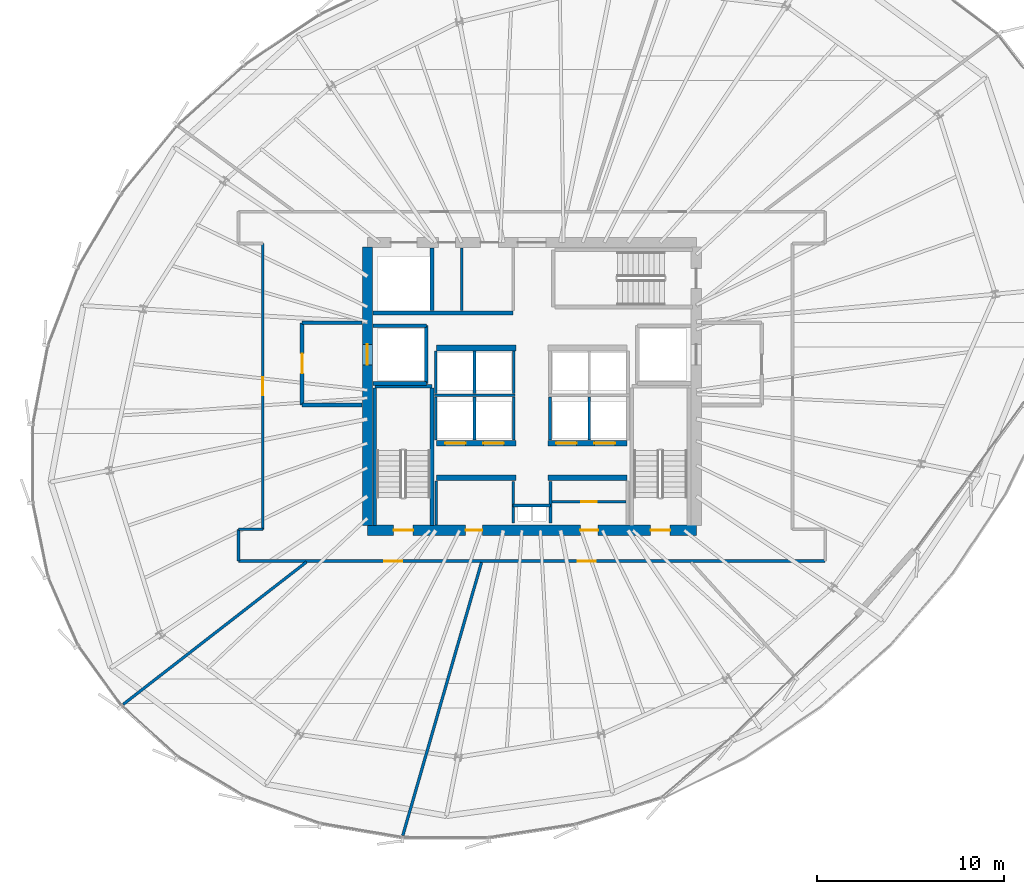
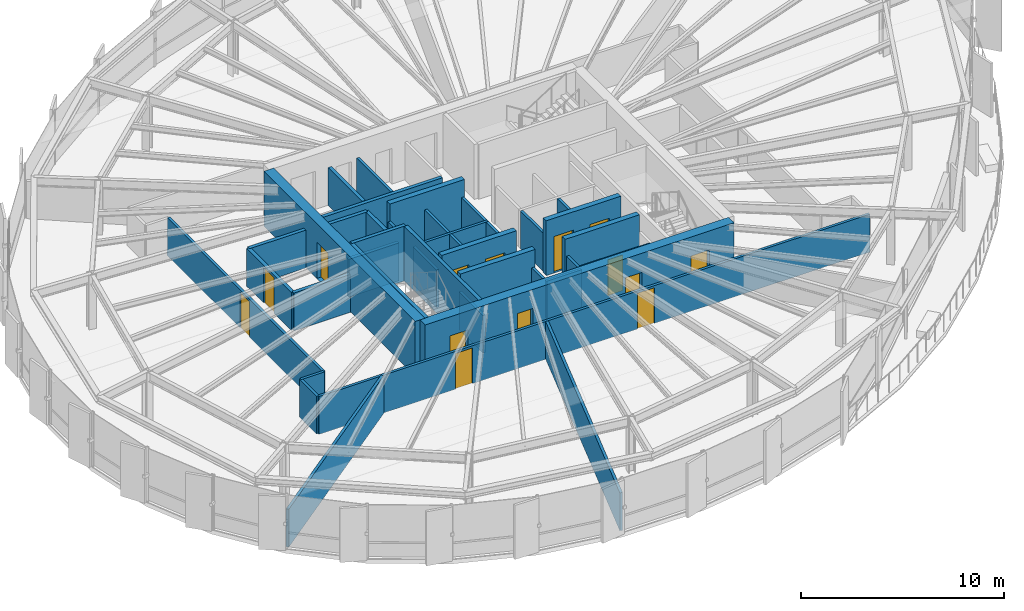
# One storey, part 28 of 34: 39 walls, 14 doors, 14 openings.
"""IFC4 building model written with IfcOpenShell, lengths in metres."""

from ifc_helpers import new_model, si_unit, direction, frame, frame_2d, origin, place, context, subcontext, project, spatial, rectangle, extrude, source, transform, mapped, material, layer, layer_set, type_object, element, fill, save


model = new_model("IFC4")

# Units and contexts
model_context = context("Model", 3, precision=1e-05, world=origin(), true_north=direction((0.0, 1.0)))
body_context = subcontext(model_context, "Body", "Model", "MODEL_VIEW")
ifc_project = project(units=[si_unit("LENGTHUNIT", "METRE"), si_unit("AREAUNIT", "SQUARE_METRE"), si_unit("VOLUMEUNIT", "CUBIC_METRE"), si_unit("PLANEANGLEUNIT", "RADIAN"), si_unit("MASSUNIT", "GRAM", prefix="KILO"), si_unit("THERMODYNAMICTEMPERATUREUNIT", "KELVIN")], contexts=[model_context])

# Site, building, storey
site_placement = place(None, origin())
site = spatial("IfcSite", under=ifc_project, at=site_placement, CompositionType="ELEMENT")
building_placement = place(site_placement, origin())
building = spatial("IfcBuilding", under=site, at=building_placement, Name="Kethvar Cultural Tower", CompositionType="ELEMENT")
storey_placement = place(building_placement, frame((0.0, 0.0, 153.64990234375)))
storey = spatial("IfcBuildingStorey", under=building, at=storey_placement, Name="L39", CompositionType="ELEMENT", Elevation=153.64990234375)

# Wall, openings, doors
ifc_material_1 = material(Name="Concrete C60/75", Category="concrete")
ifc_layer_1 = layer(ifc_material_1, 0.550048828125, Name="Concrete C60/75", Category="concrete")
ifc_layer_set_1 = layer_set([ifc_layer_1], Name="Concrete C60/75 (550 mm)")
wall_type_1 = type_object("IfcWallType", Name="WL-CORE-550", PredefinedType="SHEAR", material=ifc_layer_set_1)
wall_1_placement = place(storey_placement, frame((38.0, 20.10009765625, 0.0), z_axis=(0.0, 0.0, 1.0), x_axis=(1.0, 0.0, 0.0)))
wall_1 = element("IfcWall", 1, at=wall_1_placement, inside=storey, type_object=wall_type_1, Name="L39 Core Shear Wall S", PredefinedType="SHEAR", context=body_context, shape_type="SweptSolid", body=[
    extrude(rectangle(XDim=17.60009765625, YDim=0.550048828125, at=frame_2d((8.800048828125, 0.0))), origin(), (0.0, 0.0, 1.0), 3.300048828125),
])
opening_1_placement = place(wall_1_placement, frame((1.39990234375, 0.0, 0.0)))
opening_1 = element("IfcOpeningElement", 2, at=opening_1_placement, cuts=wall_1, Name="Opening D-L39-S1", PredefinedType="OPENING", context=body_context, shape_type="SweptSolid", body=[
    extrude(rectangle(XDim=1.050048828125, YDim=2.14990234375, at=frame_2d((0.52490234375, 1.074951171875))), frame((0.0, 0.284912109375, 0.0), z_axis=(0.0, -1.0, 0.0), x_axis=(1.0, 0.0, 0.0)), (0.0, 0.0, 1.0), 0.570068359375),
])
opening_2_placement = place(wall_1_placement, frame((15.14990234375, 0.0, 0.0)))
opening_2 = element("IfcOpeningElement", 3, at=opening_2_placement, cuts=wall_1, Name="Opening D-L39-ST2", PredefinedType="OPENING", context=body_context, shape_type="SweptSolid", body=[
    extrude(rectangle(XDim=1.050048828125, YDim=2.14990234375, at=frame_2d((0.52490234375, 1.074951171875))), frame((0.0, 0.284912109375, 0.0), z_axis=(0.0, -1.0, 0.0), x_axis=(1.0, 0.0, 0.0)), (0.0, 0.0, 1.0), 0.570068359375),
])
opening_3_placement = place(wall_1_placement, frame((5.25, 0.0, 0.0)))
opening_3 = element("IfcOpeningElement", 4, at=opening_3_placement, cuts=wall_1, Name="Opening D-L39-V1", PredefinedType="OPENING", context=body_context, shape_type="SweptSolid", body=[
    extrude(rectangle(XDim=0.89990234375, YDim=2.14990234375, at=frame_2d((0.449951171875, 1.074951171875))), frame((0.0, 0.284912109375, 0.0), z_axis=(0.0, -1.0, 0.0), x_axis=(1.0, 0.0, 0.0)), (0.0, 0.0, 1.0), 0.570068359375),
])
opening_4_placement = place(wall_1_placement, frame((11.39990234375, 0.0, 0.0)))
opening_4 = element("IfcOpeningElement", 5, at=opening_4_placement, cuts=wall_1, Name="Opening D-L39-V2", PredefinedType="OPENING", context=body_context, shape_type="SweptSolid", body=[
    extrude(rectangle(XDim=0.949951171875, YDim=2.14990234375, at=frame_2d((0.47509765625, 1.074951171875))), frame((0.0, 0.284912109375, 0.0), z_axis=(0.0, -1.0, 0.0), x_axis=(1.0, 0.0, 0.0)), (0.0, 0.0, 1.0), 0.570068359375),
])
ifc_material_2 = material(Name="Steel S355J2", Category="steel")
door_type_1 = type_object("IfcDoorType", Name="DR-FD60-1050", OperationType="NOTDEFINED", PredefinedType="DOOR", material=ifc_material_2)
shared_shape_1 = source(origin(), body_context, "Body", "SweptSolid", [
    extrude(rectangle(XDim=1.050048828125, YDim=2.14990234375, at=frame_2d((0.52490234375, 1.074951171875))), frame((0.0, 0.02490234375, 0.0), z_axis=(0.0, -1.0, 0.0), x_axis=(1.0, 0.0, 0.0)), (0.0, 0.0, 1.0), 0.050048828125),
])
door_1_placement = place(opening_1_placement, origin())
door_1 = element("IfcDoor", 6, at=door_1_placement, inside=storey, type_object=door_type_1, Name="L39 Exit Stair 1 Door", OperationType="SINGLE_SWING_LEFT", OverallHeight=2.14990234375, OverallWidth=1.050048828125, PredefinedType="DOOR", context=body_context, shape_type="MappedRepresentation", body=[
    mapped(shared_shape_1, transform((0.0, 0.0, 0.0), scale=1.0)),
])
fill(opening_1, door_1)
door_2_placement = place(opening_2_placement, origin())
door_2 = element("IfcDoor", 7, at=door_2_placement, inside=storey, type_object=door_type_1, Name="L39 Exit Stair 2 Door", OperationType="SINGLE_SWING_RIGHT", OverallHeight=2.14990234375, OverallWidth=1.050048828125, PredefinedType="DOOR", context=body_context, shape_type="MappedRepresentation", body=[
    mapped(shared_shape_1, transform((0.0, 0.0, 0.0), scale=1.0)),
])
fill(opening_2, door_2)
ifc_material_3 = material(Name="Architectural Oak Timber", Category="wood")
door_type_2 = type_object("IfcDoorType", Name="DR-FD30-950", OperationType="NOTDEFINED", PredefinedType="DOOR", material=ifc_material_3)
shared_shape_2 = source(origin(), body_context, "Body", "SweptSolid", [
    extrude(rectangle(XDim=0.949951171875, YDim=2.14990234375, at=frame_2d((0.47509765625, 1.074951171875))), frame((0.0, 0.02490234375, 0.0), z_axis=(0.0, -1.0, 0.0), x_axis=(1.0, 0.0, 0.0)), (0.0, 0.0, 1.0), 0.050048828125),
])
door_3_placement = place(opening_4_placement, origin())
door_3 = element("IfcDoor", 8, at=door_3_placement, inside=storey, type_object=door_type_2, Name="L39 Bindery Supply Door", OperationType="SINGLE_SWING_RIGHT", OverallHeight=2.14990234375, OverallWidth=0.949951171875, PredefinedType="DOOR", context=body_context, shape_type="MappedRepresentation", body=[
    mapped(shared_shape_2, transform((0.0, 0.0, 0.0), scale=1.0)),
])
fill(opening_4, door_3)
door_type_3 = type_object("IfcDoorType", Name="DR-FD30-900", OperationType="NOTDEFINED", PredefinedType="DOOR", material=ifc_material_3)
shared_shape_3 = source(origin(), body_context, "Body", "SweptSolid", [
    extrude(rectangle(XDim=0.89990234375, YDim=2.14990234375, at=frame_2d((0.449951171875, 1.074951171875))), frame((0.0, 0.02490234375, 0.0), z_axis=(0.0, -1.0, 0.0), x_axis=(1.0, 0.0, 0.0)), (0.0, 0.0, 1.0), 0.050048828125),
])
door_4_placement = place(opening_3_placement, origin())
door_4 = element("IfcDoor", 9, at=door_4_placement, inside=storey, type_object=door_type_3, Name="L39 Folio Vault Door", OperationType="SINGLE_SWING_LEFT", OverallHeight=2.14990234375, OverallWidth=0.89990234375, PredefinedType="DOOR", context=body_context, shape_type="MappedRepresentation", body=[
    mapped(shared_shape_3, transform((0.0, 0.0, 0.0), scale=1.0)),
])
fill(opening_3, door_4)

# Wall, opening, door
wall_2_placement = place(storey_placement, frame((38.0, 35.260009765625, 0.0), z_axis=(0.0, 0.0, 1.0), x_axis=(0.0, -1.0, 0.0)))
wall_2 = element("IfcWall", 10, at=wall_2_placement, inside=storey, type_object=wall_type_1, Name="L39 Core Shear Wall W", PredefinedType="SHEAR", context=body_context, shape_type="SweptSolid", body=[
    extrude(rectangle(XDim=14.919921875, YDim=0.550048828125, at=frame_2d((7.4599609375, 0.0))), origin(), (0.0, 0.0, 1.0), 3.300048828125),
])
opening_5_placement = place(wall_2_placement, frame((5.2099609375, 0.0, 0.0)))
opening_5 = element("IfcOpeningElement", 11, at=opening_5_placement, cuts=wall_2, Name="Opening LD-1", PredefinedType="OPENING", context=body_context, shape_type="SweptSolid", body=[
    extrude(rectangle(XDim=1.10009765625, YDim=2.199951171875, at=frame_2d((0.550048828125, 1.10009765625))), frame((0.0, 0.284912109375, 0.0), z_axis=(0.0, -1.0, 0.0), x_axis=(1.0, 0.0, 0.0)), (0.0, 0.0, 1.0), 0.570068359375),
])
door_type_4 = type_object("IfcDoorType", Name="DR-LIFT-SLIDE-1100", OperationType="NOTDEFINED", PredefinedType="DOOR", material=ifc_material_2)
shared_shape_4 = source(origin(), body_context, "Body", "SweptSolid", [
    extrude(rectangle(XDim=1.10009765625, YDim=2.199951171875, at=frame_2d((0.550048828125, 1.10009765625))), frame((0.0, 0.02490234375, 0.0), z_axis=(0.0, -1.0, 0.0), x_axis=(1.0, 0.0, 0.0)), (0.0, 0.0, 1.0), 0.050048828125),
])
door_5_placement = place(opening_5_placement, origin())
door_5 = element("IfcDoor", 12, at=door_5_placement, inside=storey, type_object=door_type_4, Name="L39 Firefighting Lift Landing Door FFL-01", OperationType="SLIDING_TO_LEFT", OverallHeight=2.199951171875, OverallWidth=1.10009765625, PredefinedType="DOOR", context=body_context, shape_type="MappedRepresentation", body=[
    mapped(shared_shape_4, transform((0.0, 0.0, 0.0), scale=1.0)),
])
fill(opening_5, door_5)

# Walls
ifc_material_4 = material(Name="Gypsum Fireboard Partition")
ifc_layer_2 = layer(ifc_material_4, 0.14990234375, Name="Gypsum Fireboard Partition")
ifc_layer_set_2 = layer_set([ifc_layer_2], Name="Gypsum Fireboard Partition (150 mm)")
wall_type_2 = type_object("IfcWallType", Name="WL-FIRE-150", PredefinedType="PARTITIONING", material=ifc_layer_set_2)
wall_3_placement = place(storey_placement, frame((45.800048828125, 21.419921875, 0.0), z_axis=(0.0, 0.0, 1.0), x_axis=(1.0, 0.0, 0.0)))
element("IfcWall", 13, at=wall_3_placement, inside=storey, type_object=wall_type_2, Name="L39 Core Riser Wall", PredefinedType="PARTITIONING", context=body_context, shape_type="SweptSolid", body=[
    extrude(rectangle(XDim=2.0, YDim=0.14990234375, at=frame_2d((1.0, 0.0))), origin(), (0.0, 0.0, 1.0), 2.280029296875),
])
for number, where, z_axis, x_axis, name in (
    (14, (45.800048828125, 20.47998046875, 0.0), (0.0, 0.0, 1.0), (0.0, 1.0, 0.0), "L39 Core Riser West Wall"),
    (15, (47.800048828125, 20.47998046875, 0.0), (0.0, 0.0, 1.0), (0.0, 1.0, 0.0), "L39 Core Riser East Wall"),
):
    element("IfcWall", number, at=place(storey_placement, frame(where, z_axis=z_axis, x_axis=x_axis)), inside=storey, type_object=wall_type_2, Name=name, PredefinedType="PARTITIONING", context=body_context, shape_type="SweptSolid", body=[
        extrude(rectangle(XDim=2.239990234375, YDim=0.14990234375, at=frame_2d((1.1201171875, 0.0))), origin(), (0.0, 0.0, 1.0), 2.280029296875),
    ])
wall_4_placement = place(storey_placement, frame((41.679931640625, 20.385009765625, 0.0), z_axis=(0.0, 0.0, 1.0), x_axis=(0.0, 1.0, 0.0)))
element("IfcWall", 16, at=wall_4_placement, inside=storey, type_object=wall_type_2, Name="L39 Reclaimed West Outer Wall", PredefinedType="PARTITIONING", context=body_context, shape_type="SweptSolid", body=[
    extrude(rectangle(XDim=2.344970703125, YDim=0.14990234375, at=frame_2d((1.17236328125, 0.0))), origin(), (0.0, 0.0, 1.0), 2.280029296875),
])

# Wall, opening, door
wall_5_placement = place(storey_placement, frame((47.8798828125, 21.6201171875, 0.0), z_axis=(0.0, 0.0, 1.0), x_axis=(1.0, 0.0, 0.0)))
wall_5 = element("IfcWall", 17, at=wall_5_placement, inside=storey, type_object=wall_type_2, Name="L39 Pantry Gallery Wall E", PredefinedType="PARTITIONING", context=body_context, shape_type="SweptSolid", body=[
    extrude(rectangle(XDim=3.960205078125, YDim=0.14990234375, at=frame_2d((1.97998046875, 0.0))), origin(), (0.0, 0.0, 1.0), 2.280029296875),
])
opening_6_placement = place(wall_5_placement, frame((1.550048828125, 0.0, 0.0)))
opening_6 = element("IfcOpeningElement", 18, at=opening_6_placement, cuts=wall_5, Name="Opening D-L39-V3", PredefinedType="OPENING", context=body_context, shape_type="SweptSolid", body=[
    extrude(rectangle(XDim=0.85009765625, YDim=2.14990234375, at=frame_2d((0.425048828125, 1.074951171875))), frame((0.0, 0.0849609375, 0.0), z_axis=(0.0, -1.0, 0.0), x_axis=(1.0, 0.0, 0.0)), (0.0, 0.0, 1.0), 0.169921875),
])
door_type_5 = type_object("IfcDoorType", Name="DR-FD30-850", OperationType="NOTDEFINED", PredefinedType="DOOR", material=ifc_material_2)
shared_shape_5 = source(origin(), body_context, "Body", "SweptSolid", [
    extrude(rectangle(XDim=0.85009765625, YDim=2.14990234375, at=frame_2d((0.425048828125, 1.074951171875))), frame((0.0, 0.02490234375, 0.0), z_axis=(0.0, -1.0, 0.0), x_axis=(1.0, 0.0, 0.0)), (0.0, 0.0, 1.0), 0.050048828125),
])
door_6_placement = place(opening_6_placement, origin())
door_6 = element("IfcDoor", 19, at=door_6_placement, inside=storey, type_object=door_type_5, Name="L39 Inner Pantry Gallery Door", OperationType="SINGLE_SWING_RIGHT", OverallHeight=2.14990234375, OverallWidth=0.85009765625, PredefinedType="DOOR", context=body_context, shape_type="MappedRepresentation", body=[
    mapped(shared_shape_5, transform((0.0, 0.0, 0.0), scale=1.0)),
])
fill(opening_6, door_6)

# Walls
wall_6_placement = place(storey_placement, frame((41.580078125, 27.324951171875, 0.0), z_axis=(0.0, 0.0, 1.0), x_axis=(1.0, 0.0, 0.0)))
element("IfcWall", 20, at=wall_6_placement, inside=storey, type_object=wall_type_2, Name="L39 Mid-High Lift Shaft Back Wall W", PredefinedType="PARTITIONING", context=body_context, shape_type="SweptSolid", body=[
    extrude(rectangle(XDim=4.31982421875, YDim=0.14990234375, at=frame_2d((2.159912109375, 0.0))), origin(), (0.0, 0.0, 1.0), 2.280029296875),
])
for number, where, z_axis, x_axis, name in (
    (21, (41.64990234375, 24.919921875, 0.0), (0.0, 0.0, 1.0), (0.0, 1.0, 0.0), "L39 Mid-Rise Lift Shaft Outer Wall W"),
    (22, (43.72509765625, 24.919921875, 0.0), (0.0, 0.0, 1.0), (0.0, 1.0, 0.0), "L39 Mid-Rise Lift Shaft Divider W"),
    (23, (45.824951171875, 24.919921875, 0.0), (0.0, 0.0, 1.0), (0.0, 1.0, 0.0), "L39 Mid-Rise Lift Shaft Concourse Wall W"),
    (24, (47.77490234375, 24.919921875, 0.0), (0.0, 0.0, 1.0), (0.0, 1.0, 0.0), "L39 Mid-Rise Lift Shaft Concourse Wall E"),
    (25, (49.875, 24.919921875, 0.0), (0.0, 0.0, 1.0), (0.0, 1.0, 0.0), "L39 Mid-Rise Lift Shaft Divider E"),
):
    element("IfcWall", number, at=place(storey_placement, frame(where, z_axis=z_axis, x_axis=x_axis)), inside=storey, type_object=wall_type_2, Name=name, PredefinedType="PARTITIONING", context=body_context, shape_type="SweptSolid", body=[
        extrude(rectangle(XDim=2.320068359375, YDim=0.14990234375, at=frame_2d((1.16015625, 0.0))), origin(), (0.0, 0.0, 1.0), 2.280029296875),
    ])
for number, where, z_axis, x_axis, name in (
    (26, (41.64990234375, 27.409912109375, 0.0), (0.0, 0.0, 1.0), (0.0, 1.0, 0.0), "L39 High-Rise Lift Shaft Outer Wall W"),
    (27, (43.72509765625, 27.409912109375, 0.0), (0.0, 0.0, 1.0), (0.0, 1.0, 0.0), "L39 High-Rise Lift Shaft Divider W"),
    (28, (45.824951171875, 27.409912109375, 0.0), (0.0, 0.0, 1.0), (0.0, 1.0, 0.0), "L39 High-Rise Lift Shaft Concourse Wall W"),
):
    element("IfcWall", number, at=place(storey_placement, frame(where, z_axis=z_axis, x_axis=x_axis)), inside=storey, type_object=wall_type_2, Name=name, PredefinedType="PARTITIONING", context=body_context, shape_type="SweptSolid", body=[
        extrude(rectangle(XDim=2.27001953125, YDim=0.14990234375, at=frame_2d((1.135009765625, 0.0))), origin(), (0.0, 0.0, 1.0), 2.280029296875),
    ])

# Wall, openings, doors
wall_7_placement = place(storey_placement, frame((31.10009765625, 18.449951171875, 0.0), z_axis=(0.0, 0.0, 1.0), x_axis=(1.0, 0.0, 0.0)))
wall_7 = element("IfcWall", 29, at=wall_7_placement, inside=storey, type_object=wall_type_2, Name="L39 Corridor Rated Wall S", PredefinedType="PARTITIONING", context=body_context, shape_type="SweptSolid", body=[
    extrude(rectangle(XDim=31.39990234375, YDim=0.14990234375, at=frame_2d((15.699951171875, 0.0))), origin(), (0.0, 0.0, 1.0), 2.280029296875),
])
opening_7_placement = place(wall_7_placement, frame((7.799560546875, 0.0, 0.0)))
opening_7 = element("IfcOpeningElement", 30, at=opening_7_placement, cuts=wall_7, Name="Opening D-L39-01", PredefinedType="OPENING", context=body_context, shape_type="SweptSolid", body=[
    extrude(rectangle(XDim=0.949951171875, YDim=2.14990234375, at=frame_2d((0.47509765625, 1.074951171875))), frame((0.0, 0.0849609375, 0.0), z_axis=(0.0, -1.0, 0.0), x_axis=(1.0, 0.0, 0.0)), (0.0, 0.0, 1.0), 0.169921875),
])
opening_8_placement = place(wall_7_placement, frame((18.16650390625, 0.0, 0.0)))
opening_8 = element("IfcOpeningElement", 31, at=opening_8_placement, cuts=wall_7, Name="Opening D-L39-02", PredefinedType="OPENING", context=body_context, shape_type="SweptSolid", body=[
    extrude(rectangle(XDim=0.949951171875, YDim=2.14990234375, at=frame_2d((0.47509765625, 1.074951171875))), frame((0.0, 0.0849609375, 0.0), z_axis=(0.0, -1.0, 0.0), x_axis=(1.0, 0.0, 0.0)), (0.0, 0.0, 1.0), 0.169921875),
])
door_7_placement = place(opening_7_placement, origin())
door_7 = element("IfcDoor", 32, at=door_7_placement, inside=storey, type_object=door_type_2, Name="L39 Periodicals Reading Lounge 01 Door", OperationType="SINGLE_SWING_RIGHT", OverallHeight=2.14990234375, OverallWidth=0.949951171875, PredefinedType="DOOR", context=body_context, shape_type="MappedRepresentation", body=[
    mapped(shared_shape_2, transform((0.0, 0.0, 0.0), scale=1.0)),
])
fill(opening_7, door_7)
door_8_placement = place(opening_8_placement, origin())
door_8 = element("IfcDoor", 33, at=door_8_placement, inside=storey, type_object=door_type_2, Name="L39 Members' Dining Lounge 02 Door", OperationType="SINGLE_SWING_LEFT", OverallHeight=2.14990234375, OverallWidth=0.949951171875, PredefinedType="DOOR", context=body_context, shape_type="MappedRepresentation", body=[
    mapped(shared_shape_2, transform((0.0, 0.0, 0.0), scale=1.0)),
])
fill(opening_8, door_8)

# Wall, opening, door
wall_8_placement = place(storey_placement, frame((32.39990234375, 35.449951171875, 0.0), z_axis=(0.0, 0.0, 1.0), x_axis=(0.0, -1.0, 0.0)))
wall_8 = element("IfcWall", 34, at=wall_8_placement, inside=storey, type_object=wall_type_2, Name="L39 Corridor Rated Wall WM", PredefinedType="PARTITIONING", context=body_context, shape_type="SweptSolid", body=[
    extrude(rectangle(XDim=15.300048828125, YDim=0.14990234375, at=frame_2d((7.64990234375, 0.0))), origin(), (0.0, 0.0, 1.0), 2.280029296875),
])
opening_9_placement = place(wall_8_placement, frame((7.175048828125, 0.0, 0.0)))
opening_9 = element("IfcOpeningElement", 35, at=opening_9_placement, cuts=wall_8, Name="Opening D-L39-06", PredefinedType="OPENING", context=body_context, shape_type="SweptSolid", body=[
    extrude(rectangle(XDim=0.949951171875, YDim=2.14990234375, at=frame_2d((0.47509765625, 1.074951171875))), frame((0.0, 0.0849609375, 0.0), z_axis=(0.0, -1.0, 0.0), x_axis=(1.0, 0.0, 0.0)), (0.0, 0.0, 1.0), 0.169921875),
])
door_9_placement = place(opening_9_placement, origin())
door_9 = element("IfcDoor", 36, at=door_9_placement, inside=storey, type_object=door_type_2, Name="L39 Rare Folio Storage 06 Door", OperationType="SINGLE_SWING_LEFT", OverallHeight=2.14990234375, OverallWidth=0.949951171875, PredefinedType="DOOR", context=body_context, shape_type="MappedRepresentation", body=[
    mapped(shared_shape_2, transform((0.0, 0.0, 0.0), scale=1.0)),
])
fill(opening_9, door_9)

# Walls
wall_9_placement = place(storey_placement, frame((32.39990234375, 20.14990234375, 0.0), z_axis=(0.0, 0.0, 1.0), x_axis=(-1.0, 0.0, 0.0)))
element("IfcWall", 37, at=wall_9_placement, inside=storey, type_object=wall_type_2, Name="L39 Corridor Rated Wall WST", PredefinedType="PARTITIONING", context=body_context, shape_type="SweptSolid", body=[
    extrude(rectangle(XDim=1.2998046875, YDim=0.14990234375, at=frame_2d((0.64990234375, 0.0))), origin(), (0.0, 0.0, 1.0), 2.280029296875),
])
wall_10_placement = place(storey_placement, frame((31.10009765625, 20.14990234375, 0.0), z_axis=(0.0, 0.0, 1.0), x_axis=(0.0, -1.0, 0.0)))
element("IfcWall", 38, at=wall_10_placement, inside=storey, type_object=wall_type_2, Name="L39 Corridor Rated Wall WS", PredefinedType="PARTITIONING", context=body_context, shape_type="SweptSolid", body=[
    extrude(rectangle(XDim=1.699951171875, YDim=0.14990234375, at=frame_2d((0.85009765625, 0.0))), origin(), (0.0, 0.0, 1.0), 2.280029296875),
])
ifc_material_5 = material(Name="Concrete C40/50", Category="concrete")
ifc_layer_3 = layer(ifc_material_5, 0.199951171875, Name="Concrete C40/50", Category="concrete")
ifc_layer_set_3 = layer_set([ifc_layer_3], Name="Concrete C40/50 (200 mm)")
wall_type_3 = type_object("IfcWallType", Name="WL-FIRE-200", PredefinedType="PARTITIONING", material=ifc_layer_set_3)
wall_11_placement = place(storey_placement, frame((41.14990234375, 27.949951171875, 0.0), z_axis=(0.0, 0.0, 1.0), x_axis=(0.0, 1.0, 0.0)))
element("IfcWall", 39, at=wall_11_placement, inside=storey, type_object=wall_type_3, Name="L39 FFL-01 Shaft Inner Wall", PredefinedType="PARTITIONING", context=body_context, shape_type="SweptSolid", body=[
    extrude(rectangle(XDim=3.10009765625, YDim=0.199951171875, at=frame_2d((1.550048828125, 0.0))), origin(), (0.0, 0.0, 1.0), 2.280029296875),
])
for number, where, z_axis, x_axis, name in (
    (40, (38.284912109375, 27.949951171875, 0.0), (0.0, 0.0, 1.0), (1.0, 0.0, 0.0), "L39 FFL-01 Shaft South Wall"),
    (41, (38.284912109375, 31.050048828125, 0.0), (0.0, 0.0, 1.0), (1.0, 0.0, 0.0), "L39 FFL-01 Shaft North Wall"),
):
    element("IfcWall", number, at=place(storey_placement, frame(where, z_axis=z_axis, x_axis=x_axis)), inside=storey, type_object=wall_type_3, Name=name, PredefinedType="PARTITIONING", context=body_context, shape_type="SweptSolid", body=[
        extrude(rectangle(XDim=2.864990234375, YDim=0.199951171875, at=frame_2d((1.4326171875, 0.0))), origin(), (0.0, 0.0, 1.0), 2.280029296875),
    ])

# Wall, opening, door
wall_12_placement = place(storey_placement, frame((34.5, 31.199951171875, 0.0), z_axis=(0.0, 0.0, 1.0), x_axis=(0.0, -1.0, 0.0)))
wall_12 = element("IfcWall", 42, at=wall_12_placement, inside=storey, type_object=wall_type_3, Name="L39 Firefighting Lobby 1 Wall", PredefinedType="PARTITIONING", context=body_context, shape_type="SweptSolid", body=[
    extrude(rectangle(XDim=4.39990234375, YDim=0.199951171875, at=frame_2d((2.199951171875, 0.0))), origin(), (0.0, 0.0, 1.0), 2.280029296875),
])
opening_10_placement = place(wall_12_placement, frame((1.64990234375, 0.0, 0.0)))
opening_10 = element("IfcOpeningElement", 43, at=opening_10_placement, cuts=wall_12, Name="Opening D-L39-F1", PredefinedType="OPENING", context=body_context, shape_type="SweptSolid", body=[
    extrude(rectangle(XDim=1.050048828125, YDim=2.14990234375, at=frame_2d((0.52490234375, 1.074951171875))), frame((0.0, 0.10986328125, 0.0), z_axis=(0.0, -1.0, 0.0), x_axis=(1.0, 0.0, 0.0)), (0.0, 0.0, 1.0), 0.219970703125),
])
door_10_placement = place(opening_10_placement, origin())
door_10 = element("IfcDoor", 44, at=door_10_placement, inside=storey, type_object=door_type_1, Name="L39 Firefighting Lobby 1 Fire Door", OperationType="SINGLE_SWING_LEFT", OverallHeight=2.14990234375, OverallWidth=1.050048828125, PredefinedType="DOOR", context=body_context, shape_type="MappedRepresentation", body=[
    mapped(shared_shape_1, transform((0.0, 0.0, 0.0), scale=1.0)),
])
fill(opening_10, door_10)

# Walls
for number, where, z_axis, x_axis, name in (
    (45, (34.5, 26.800048828125, 0.0), (0.0, 0.0, 1.0), (1.0, 0.0, 0.0), "L39 FF Lobby 1 South Wall"),
    (46, (34.5, 31.199951171875, 0.0), (0.0, 0.0, 1.0), (1.0, 0.0, 0.0), "L39 FF Lobby 1 North Wall"),
):
    element("IfcWall", number, at=place(storey_placement, frame(where, z_axis=z_axis, x_axis=x_axis)), inside=storey, type_object=wall_type_3, Name=name, PredefinedType="PARTITIONING", context=body_context, shape_type="SweptSolid", body=[
        extrude(rectangle(XDim=3.215087890625, YDim=0.199951171875, at=frame_2d((1.607421875, 0.0))), origin(), (0.0, 0.0, 1.0), 2.280029296875),
    ])
wall_13_placement = place(storey_placement, frame((41.449951171875, 31.85009765625, 0.0), z_axis=(0.0, 0.0, 1.0), x_axis=(0.0, 1.0, 0.0)))
element("IfcWall", 47, at=wall_13_placement, inside=storey, type_object=wall_type_3, Name="L39 NW Core Pocket Wall", PredefinedType="PARTITIONING", context=body_context, shape_type="SweptSolid", body=[
    extrude(rectangle(XDim=3.364990234375, YDim=0.199951171875, at=frame_2d((1.6826171875, 0.0))), origin(), (0.0, 0.0, 1.0), 2.280029296875),
])
wall_14_placement = place(storey_placement, frame((38.284912109375, 31.72998046875, 0.0), z_axis=(0.0, 0.0, 1.0), x_axis=(1.0, 0.0, 0.0)))
element("IfcWall", 48, at=wall_14_placement, inside=storey, type_object=wall_type_3, Name="L39 North Core Sanitary South Wall", PredefinedType="PARTITIONING", context=body_context, shape_type="SweptSolid", body=[
    extrude(rectangle(XDim=7.51513671875, YDim=0.199951171875, at=frame_2d((3.757568359375, 0.0))), origin(), (0.0, 0.0, 1.0), 2.280029296875),
])
ifc_material_6 = material(Name="Gypsum Acoustic Partition")
ifc_layer_4 = layer(ifc_material_6, 0.14990234375, Name="Gypsum Acoustic Partition")
ifc_layer_set_4 = layer_set([ifc_layer_4], Name="Gypsum Acoustic Partition (150 mm)")
wall_type_4 = type_object("IfcWallType", Name="WL-PART-150", PredefinedType="PARTITIONING", material=ifc_layer_set_4)
wall_15_placement = place(storey_placement, frame((34.737060546875, 18.40087890625, 0.0), z_axis=(0.0, 0.0, 1.0), x_axis=(-0.789733105582, -0.613450586395, 0.0)))
element("IfcWall", 49, at=wall_15_placement, inside=storey, type_object=wall_type_4, Name="L39 Radial Partition Wall 01", PredefinedType="PARTITIONING", context=body_context, shape_type="SweptSolid", body=[
    extrude(rectangle(XDim=12.420166015625, YDim=0.14990234375, at=frame_2d((6.2099609375, 0.0))), origin(), (0.0, 0.0, 1.0), 2.280029296875),
])
wall_16_placement = place(storey_placement, frame((44.1025390625, 18.373046875, 0.0), z_axis=(0.0, 0.0, 1.0), x_axis=(-0.276966229968, -0.960879652952, 0.0)))
element("IfcWall", 50, at=wall_16_placement, inside=storey, type_object=wall_type_4, Name="L39 Radial Partition Wall 02", PredefinedType="PARTITIONING", context=body_context, shape_type="SweptSolid", body=[
    extrude(rectangle(XDim=15.20458984375, YDim=0.14990234375, at=frame_2d((7.602294921875, 0.0))), origin(), (0.0, 0.0, 1.0), 2.280029296875),
])
ifc_material_7 = material(Name="Moisture-Resistant Sanitary Chase Wall")
ifc_layer_5 = layer(ifc_material_7, 0.14990234375, Name="Moisture-Resistant Sanitary Chase Wall")
ifc_layer_set_5 = layer_set([ifc_layer_5], Name="Moisture-Resistant Sanitary Chase Wall (150 mm)")
wall_type_5 = type_object("IfcWallType", Name="WL-PLUMB-150", PredefinedType="PLUMBINGWALL", material=ifc_layer_set_5)
wall_17_placement = place(storey_placement, frame((43.050048828125, 31.85009765625, 0.0), z_axis=(0.0, 0.0, 1.0), x_axis=(0.0, 1.0, 0.0)))
element("IfcWall", 51, at=wall_17_placement, inside=storey, type_object=wall_type_5, Name="L39 Sanitary Plumbing Wall", PredefinedType="PLUMBINGWALL", context=body_context, shape_type="SweptSolid", body=[
    extrude(rectangle(XDim=3.364990234375, YDim=0.14990234375, at=frame_2d((1.6826171875, 0.0))), origin(), (0.0, 0.0, 1.0), 2.280029296875),
])
ifc_material_8 = material(Name="Concrete C50/60", Category="concrete")
ifc_layer_6 = layer(ifc_material_8, 0.300048828125, Name="Concrete C50/60", Category="concrete")
ifc_layer_set_6 = layer_set([ifc_layer_6], Name="Concrete C50/60 (300 mm)")
wall_type_6 = type_object("IfcWallType", Name="WL-SHAFT-300", PredefinedType="SHEAR", material=ifc_layer_set_6)
for number, where, z_axis, x_axis, name in (
    (52, (41.699951171875, 22.89990234375, 0.0), (0.0, 0.0, 1.0), (1.0, 0.0, 0.0), "L39 Core Lift Spine Wall MID1W"),
    (53, (47.64990234375, 22.89990234375, 0.0), (0.0, 0.0, 1.0), (1.0, 0.0, 0.0), "L39 Core Lift Spine Wall MID1E"),
):
    element("IfcWall", number, at=place(storey_placement, frame(where, z_axis=z_axis, x_axis=x_axis)), inside=storey, type_object=wall_type_6, Name=name, PredefinedType="SHEAR", context=body_context, shape_type="SweptSolid", body=[
        extrude(rectangle(XDim=4.25, YDim=0.300048828125, at=frame_2d((2.125, 0.0))), origin(), (0.0, 0.0, 1.0), 3.300048828125),
    ])

# Wall, openings, doors
wall_18_placement = place(storey_placement, frame((41.699951171875, 24.75, 0.0), z_axis=(0.0, 0.0, 1.0), x_axis=(1.0, 0.0, 0.0)))
wall_18 = element("IfcWall", 54, at=wall_18_placement, inside=storey, type_object=wall_type_6, Name="L39 Core Lift Spine Wall MID2W", PredefinedType="SHEAR", context=body_context, shape_type="SweptSolid", body=[
    extrude(rectangle(XDim=4.25, YDim=0.300048828125, at=frame_2d((2.125, 0.0))), origin(), (0.0, 0.0, 1.0), 3.300048828125),
])
opening_11_placement = place(wall_18_placement, frame((0.449951171875, 0.0, 0.0)))
opening_11 = element("IfcOpeningElement", 55, at=opening_11_placement, cuts=wall_18, Name="Opening LD-M1", PredefinedType="OPENING", context=body_context, shape_type="SweptSolid", body=[
    extrude(rectangle(XDim=1.10009765625, YDim=2.199951171875, at=frame_2d((0.550048828125, 1.10009765625))), frame((0.0, 0.159912109375, 0.0), z_axis=(0.0, -1.0, 0.0), x_axis=(1.0, 0.0, 0.0)), (0.0, 0.0, 1.0), 0.320068359375),
])
opening_12_placement = place(wall_18_placement, frame((2.5, 0.0, 0.0)))
opening_12 = element("IfcOpeningElement", 56, at=opening_12_placement, cuts=wall_18, Name="Opening LD-M2", PredefinedType="OPENING", context=body_context, shape_type="SweptSolid", body=[
    extrude(rectangle(XDim=1.10009765625, YDim=2.199951171875, at=frame_2d((0.550048828125, 1.10009765625))), frame((0.0, 0.159912109375, 0.0), z_axis=(0.0, -1.0, 0.0), x_axis=(1.0, 0.0, 0.0)), (0.0, 0.0, 1.0), 0.320068359375),
])
door_11_placement = place(opening_11_placement, origin())
door_11 = element("IfcDoor", 57, at=door_11_placement, inside=storey, type_object=door_type_4, Name="L39 Mid-Rise Lift Landing Door M1", OperationType="SLIDING_TO_RIGHT", OverallHeight=2.199951171875, OverallWidth=1.10009765625, PredefinedType="DOOR", context=body_context, shape_type="MappedRepresentation", body=[
    mapped(shared_shape_4, transform((0.0, 0.0, 0.0), scale=1.0)),
])
fill(opening_11, door_11)
door_12_placement = place(opening_12_placement, origin())
door_12 = element("IfcDoor", 58, at=door_12_placement, inside=storey, type_object=door_type_4, Name="L39 Mid-Rise Lift Landing Door M2", OperationType="SLIDING_TO_RIGHT", OverallHeight=2.199951171875, OverallWidth=1.10009765625, PredefinedType="DOOR", context=body_context, shape_type="MappedRepresentation", body=[
    mapped(shared_shape_4, transform((0.0, 0.0, 0.0), scale=1.0)),
])
fill(opening_12, door_12)

wall_19_placement = place(storey_placement, frame((47.64990234375, 24.75, 0.0), z_axis=(0.0, 0.0, 1.0), x_axis=(1.0, 0.0, 0.0)))
wall_19 = element("IfcWall", 59, at=wall_19_placement, inside=storey, type_object=wall_type_6, Name="L39 Core Lift Spine Wall MID2E", PredefinedType="SHEAR", context=body_context, shape_type="SweptSolid", body=[
    extrude(rectangle(XDim=4.25, YDim=0.300048828125, at=frame_2d((2.125, 0.0))), origin(), (0.0, 0.0, 1.0), 3.300048828125),
])
opening_13_placement = place(wall_19_placement, frame((0.449951171875, 0.0, 0.0)))
opening_13 = element("IfcOpeningElement", 60, at=opening_13_placement, cuts=wall_19, Name="Opening LD-M3", PredefinedType="OPENING", context=body_context, shape_type="SweptSolid", body=[
    extrude(rectangle(XDim=1.10009765625, YDim=2.199951171875, at=frame_2d((0.550048828125, 1.10009765625))), frame((0.0, 0.159912109375, 0.0), z_axis=(0.0, -1.0, 0.0), x_axis=(1.0, 0.0, 0.0)), (0.0, 0.0, 1.0), 0.320068359375),
])
opening_14_placement = place(wall_19_placement, frame((2.5, 0.0, 0.0)))
opening_14 = element("IfcOpeningElement", 61, at=opening_14_placement, cuts=wall_19, Name="Opening LD-M4", PredefinedType="OPENING", context=body_context, shape_type="SweptSolid", body=[
    extrude(rectangle(XDim=1.10009765625, YDim=2.199951171875, at=frame_2d((0.550048828125, 1.10009765625))), frame((0.0, 0.159912109375, 0.0), z_axis=(0.0, -1.0, 0.0), x_axis=(1.0, 0.0, 0.0)), (0.0, 0.0, 1.0), 0.320068359375),
])
door_13_placement = place(opening_13_placement, origin())
door_13 = element("IfcDoor", 62, at=door_13_placement, inside=storey, type_object=door_type_4, Name="L39 Mid-Rise Lift Landing Door M3", OperationType="SLIDING_TO_RIGHT", OverallHeight=2.199951171875, OverallWidth=1.10009765625, PredefinedType="DOOR", context=body_context, shape_type="MappedRepresentation", body=[
    mapped(shared_shape_4, transform((0.0, 0.0, 0.0), scale=1.0)),
])
fill(opening_13, door_13)
door_14_placement = place(opening_14_placement, origin())
door_14 = element("IfcDoor", 63, at=door_14_placement, inside=storey, type_object=door_type_4, Name="L39 Mid-Rise Lift Landing Door M4", OperationType="SLIDING_TO_RIGHT", OverallHeight=2.199951171875, OverallWidth=1.10009765625, PredefinedType="DOOR", context=body_context, shape_type="MappedRepresentation", body=[
    mapped(shared_shape_4, transform((0.0, 0.0, 0.0), scale=1.0)),
])
fill(opening_14, door_14)

# Walls
wall_20_placement = place(storey_placement, frame((41.699951171875, 29.85009765625, 0.0), z_axis=(0.0, 0.0, 1.0), x_axis=(1.0, 0.0, 0.0)))
element("IfcWall", 64, at=wall_20_placement, inside=storey, type_object=wall_type_6, Name="L39 Core Lift Spine Wall MID3W", PredefinedType="SHEAR", context=body_context, shape_type="SweptSolid", body=[
    extrude(rectangle(XDim=4.25, YDim=0.300048828125, at=frame_2d((2.125, 0.0))), origin(), (0.0, 0.0, 1.0), 3.300048828125),
])
ifc_layer_7 = layer(ifc_material_8, 0.199951171875, Name="Concrete C50/60", Category="concrete")
ifc_layer_set_7 = layer_set([ifc_layer_7], Name="Concrete C50/60 (200 mm)")
wall_type_7 = type_object("IfcWallType", Name="WL-STSHAFT-200", PredefinedType="SHEAR", material=ifc_layer_set_7)
wall_21_placement = place(storey_placement, frame((38.389892578125, 27.800048828125, 0.0), z_axis=(0.0, 0.0, 1.0), x_axis=(1.0, 0.0, 0.0)))
element("IfcWall", 65, at=wall_21_placement, inside=storey, type_object=wall_type_7, Name="L39 ST-01 Stair Shaft Wall FAR", PredefinedType="SHEAR", context=body_context, shape_type="SweptSolid", body=[
    extrude(rectangle(XDim=3.06005859375, YDim=0.199951171875, at=frame_2d((1.530029296875, 0.0))), origin(), (0.0, 0.0, 1.0), 3.300048828125),
])
for number, where, z_axis, x_axis, name in (
    (66, (41.449951171875, 27.699951171875, 0.0), (0.0, 0.0, 1.0), (0.0, -1.0, 0.0), "L39 ST-01 Stair Shaft Wall LEFT"),
    (67, (38.389892578125, 20.35009765625, 0.0), (0.0, 0.0, 1.0), (0.0, 1.0, 0.0), "L39 ST-01 Stair Shaft Wall RIGHT"),
):
    element("IfcWall", number, at=place(storey_placement, frame(where, z_axis=z_axis, x_axis=x_axis)), inside=storey, type_object=wall_type_7, Name=name, PredefinedType="SHEAR", context=body_context, shape_type="SweptSolid", body=[
        extrude(rectangle(XDim=7.349853515625, YDim=0.199951171875, at=frame_2d((3.6748046875, 0.0))), origin(), (0.0, 0.0, 1.0), 3.300048828125),
    ])

save(model, "model.ifc")
